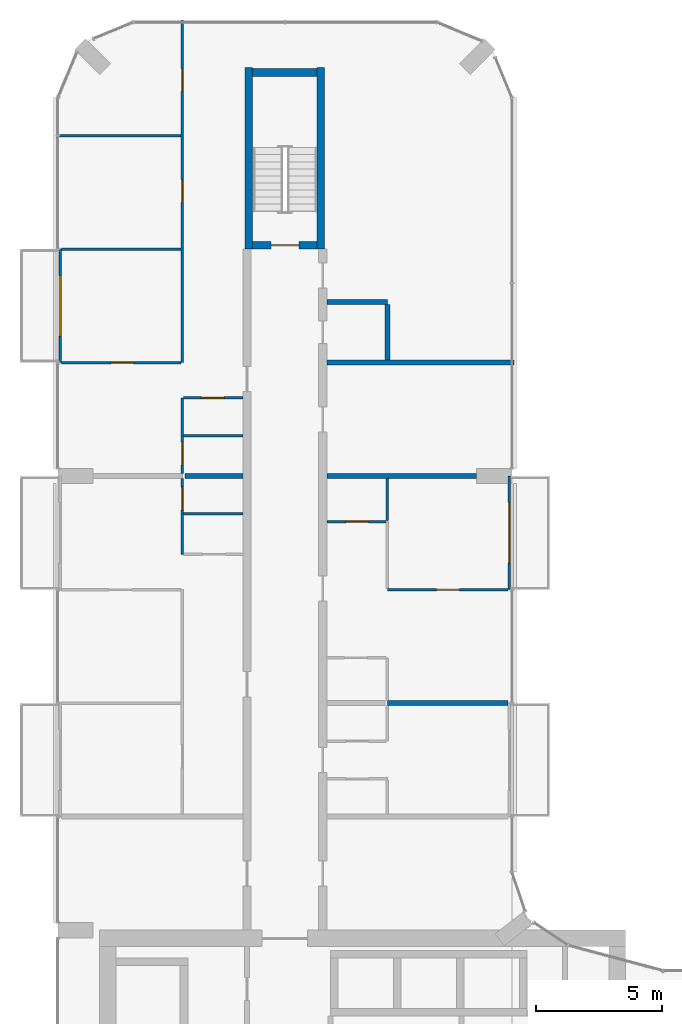
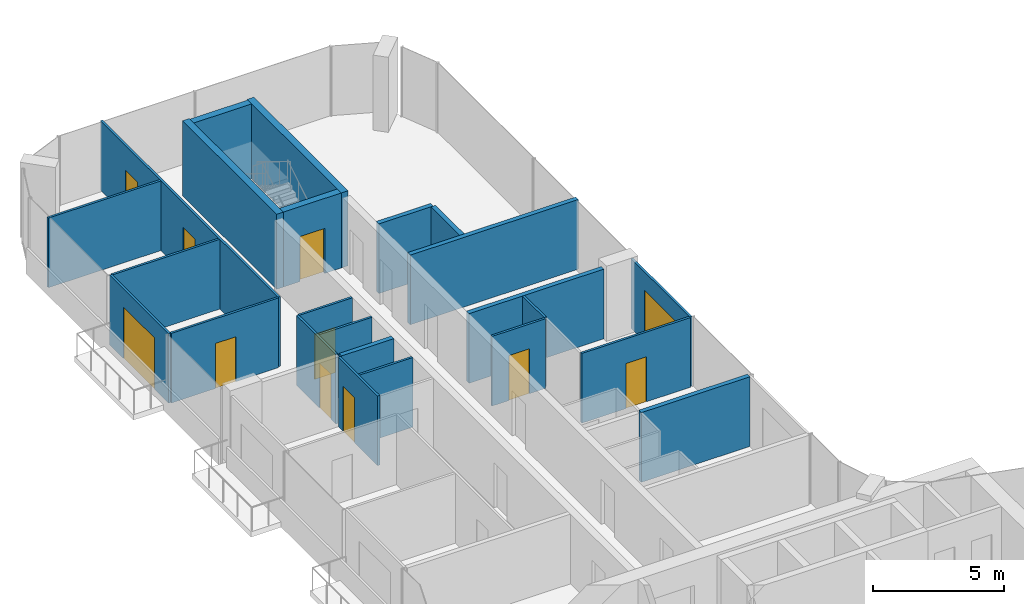
# One storey, part 16 of 22: 24 walls, 11 doors, 11 openings.
"""IFC4 building model written with IfcOpenShell, lengths in metres."""

from ifc_helpers import new_model, si_unit, direction, frame, frame_2d, origin, place, context, subcontext, project, spatial, rectangle, extrude, material, layer, layer_set, type_object, element, fill, save


model = new_model("IFC4")

# Units and contexts
model_context = context("Model", 3, precision=1e-05, world=origin(), true_north=direction((0.0, 1.0)))
body_context = subcontext(model_context, "Body", "Model", "MODEL_VIEW")
ifc_project = project(units=[si_unit("LENGTHUNIT", "METRE"), si_unit("AREAUNIT", "SQUARE_METRE"), si_unit("VOLUMEUNIT", "CUBIC_METRE"), si_unit("PLANEANGLEUNIT", "RADIAN"), si_unit("MASSUNIT", "GRAM", prefix="KILO")], contexts=[model_context])

# Site, building, storey
site_placement = place(None, origin())
site = spatial("IfcSite", under=ifc_project, at=site_placement, CompositionType="ELEMENT")
building_placement = place(site_placement, origin())
building = spatial("IfcBuilding", under=site, at=building_placement, Name="Plateau Cross Towers", CompositionType="ELEMENT")
storey_placement = place(building_placement, frame((0.0, 0.0, 116.800048828125)))
storey = spatial("IfcBuildingStorey", under=building, at=storey_placement, Name="L30", CompositionType="ELEMENT", Elevation=116.800048828125)

# Wall, opening, door
ifc_material_1 = material(Name="Aluminium framed glazing", Category="aluminium")
ifc_layer_1 = layer(ifc_material_1, 0.10009765625)
ifc_layer_set_1 = layer_set([ifc_layer_1], Name="Aluminium framed glazing")
wall_type_1 = type_object("IfcWallType", Name="Balcony screen wall 100", PredefinedType="STANDARD", material=ifc_layer_set_1)
wall_1_placement = place(storey_placement, frame((0.10009765625, 40.5, 0.0), z_axis=(0.0, 0.0, 1.0), x_axis=(0.0, 1.0, 0.0)))
wall_1 = element("IfcWall", 1, at=wall_1_placement, inside=storey, type_object=wall_type_1, Name="Balcony screen wall A-BAL-L30-03", PredefinedType="STANDARD", context=body_context, shape_type="SweptSolid", body=[
    extrude(rectangle(XDim=4.5, YDim=0.10009765625, at=frame_2d((2.25, 0.0))), origin(), (0.0, 0.0, 1.0), 3.25),
])
opening_1_placement = place(wall_1_placement, frame((1.050048828125, 0.0, 0.0)))
opening_1 = element("IfcOpeningElement", 2, at=opening_1_placement, cuts=wall_1, Name="Opening D-B24", PredefinedType="OPENING", context=body_context, shape_type="SweptSolid", body=[
    extrude(rectangle(XDim=2.39990234375, YDim=2.39990234375, at=frame_2d((1.199951171875, 1.199951171875))), frame((0.0, 0.06005859375, 0.0), z_axis=(0.0, -1.0, 0.0), x_axis=(1.0, 0.0, 0.0)), (0.0, 0.0, 1.0), 0.1201171875),
])
ifc_material_2 = material(Name="Aluminium frame, double glazing", Category="aluminium")
door_type_1 = type_object("IfcDoorType", Name="Balcony sliding door 2400", OperationType="NOTDEFINED", PredefinedType="DOOR", material=ifc_material_2)
door_1_placement = place(opening_1_placement, origin())
door_1 = element("IfcDoor", 3, at=door_1_placement, inside=storey, type_object=door_type_1, Name="Balcony door A-BAL-L30-03", OperationType="SINGLE_SWING_LEFT", OverallHeight=2.39990234375, OverallWidth=2.39990234375, PredefinedType="DOOR", context=body_context, shape_type="SweptSolid", body=[
    extrude(rectangle(XDim=2.39990234375, YDim=2.39990234375, at=frame_2d((1.199951171875, 1.199951171875))), frame((0.0, 0.02490234375, 0.0), z_axis=(0.0, -1.0, 0.0), x_axis=(1.0, 0.0, 0.0)), (0.0, 0.0, 1.0), 0.050048828125),
])
fill(opening_1, door_1)

wall_2_placement = place(storey_placement, frame((17.89990234375, 36.0, 0.0), z_axis=(0.0, 0.0, 1.0), x_axis=(0.0, -1.0, 0.0)))
wall_2 = element("IfcWall", 4, at=wall_2_placement, inside=storey, type_object=wall_type_1, Name="Balcony screen wall A-BAL-L30-05", PredefinedType="STANDARD", context=body_context, shape_type="SweptSolid", body=[
    extrude(rectangle(XDim=4.5, YDim=0.10009765625, at=frame_2d((2.25, 0.0))), origin(), (0.0, 0.0, 1.0), 3.25),
])
opening_2_placement = place(wall_2_placement, frame((1.050048828125, 0.0, 0.0)))
opening_2 = element("IfcOpeningElement", 5, at=opening_2_placement, cuts=wall_2, Name="Opening D-B24", PredefinedType="OPENING", context=body_context, shape_type="SweptSolid", body=[
    extrude(rectangle(XDim=2.39990234375, YDim=2.39990234375, at=frame_2d((1.199951171875, 1.199951171875))), frame((0.0, 0.06005859375, 0.0), z_axis=(0.0, -1.0, 0.0), x_axis=(1.0, 0.0, 0.0)), (0.0, 0.0, 1.0), 0.1201171875),
])
door_2_placement = place(opening_2_placement, origin())
door_2 = element("IfcDoor", 6, at=door_2_placement, inside=storey, type_object=door_type_1, Name="Balcony door A-BAL-L30-05", OperationType="SINGLE_SWING_LEFT", OverallHeight=2.39990234375, OverallWidth=2.39990234375, PredefinedType="DOOR", context=body_context, shape_type="SweptSolid", body=[
    extrude(rectangle(XDim=2.39990234375, YDim=2.39990234375, at=frame_2d((1.199951171875, 1.199951171875))), frame((0.0, 0.02490234375, 0.0), z_axis=(0.0, -1.0, 0.0), x_axis=(1.0, 0.0, 0.0)), (0.0, 0.0, 1.0), 0.050048828125),
])
fill(opening_2, door_2)

ifc_material_3 = material(Name="Gypsum board on steel studs", Category="steel")
ifc_layer_2 = layer(ifc_material_3, 0.10009765625)
ifc_layer_set_2 = layer_set([ifc_layer_2], Name="Gypsum board on steel studs")
wall_type_2 = type_object("IfcWallType", Name="Flat partition 100", PredefinedType="PARTITIONING", material=ifc_layer_set_2)
wall_3_placement = place(storey_placement, frame((13.0625, 31.5, 0.0), z_axis=(0.0, 0.0, 1.0), x_axis=(1.0, 0.0, 0.0)))
wall_3 = element("IfcWall", 7, at=wall_3_placement, inside=storey, type_object=wall_type_2, Name="Partition wall", PredefinedType="PARTITIONING", context=body_context, shape_type="SweptSolid", body=[
    extrude(rectangle(XDim=4.78759765625, YDim=0.10009765625, at=frame_2d((2.393798828125, 0.0))), origin(), (0.0, 0.0, 1.0), 3.25),
])
opening_3_placement = place(wall_3_placement, frame((1.949951171875, 0.0, 0.0)))
opening_3 = element("IfcOpeningElement", 8, at=opening_3_placement, cuts=wall_3, Name="Opening 30-43", PredefinedType="OPENING", context=body_context, shape_type="SweptSolid", body=[
    extrude(rectangle(XDim=0.89990234375, YDim=2.10009765625, at=frame_2d((0.449951171875, 1.050048828125))), frame((0.0, 0.06005859375, 0.0), z_axis=(0.0, -1.0, 0.0), x_axis=(1.0, 0.0, 0.0)), (0.0, 0.0, 1.0), 0.1201171875),
])
ifc_material_4 = material(Name="Timber leaf", Category="wood")
door_type_2 = type_object("IfcDoorType", Name="Flat room door 900", OperationType="NOTDEFINED", PredefinedType="DOOR", material=ifc_material_4)
door_3_placement = place(opening_3_placement, origin())
door_3 = element("IfcDoor", 9, at=door_3_placement, inside=storey, type_object=door_type_2, Name="Door 30-43", OperationType="SINGLE_SWING_RIGHT", OverallHeight=2.10009765625, OverallWidth=0.89990234375, PredefinedType="DOOR", context=body_context, shape_type="SweptSolid", body=[
    extrude(rectangle(XDim=0.89990234375, YDim=2.10009765625, at=frame_2d((0.449951171875, 1.050048828125))), frame((0.0, 0.02490234375, 0.0), z_axis=(0.0, -1.0, 0.0), x_axis=(1.0, 0.0, 0.0)), (0.0, 0.0, 1.0), 0.050048828125),
])
fill(opening_3, door_3)

wall_4_placement = place(storey_placement, frame((10.66259765625, 34.199951171875, 0.0), z_axis=(0.0, 0.0, 1.0), x_axis=(1.0, 0.0, 0.0)))
wall_4 = element("IfcWall", 10, at=wall_4_placement, inside=storey, type_object=wall_type_2, Name="Partition wall", PredefinedType="PARTITIONING", context=body_context, shape_type="SweptSolid", body=[
    extrude(rectangle(XDim=2.349853515625, YDim=0.10009765625, at=frame_2d((1.1748046875, 0.0))), origin(), (0.0, 0.0, 1.0), 3.25),
])
opening_4_placement = place(wall_4_placement, frame((0.75, 0.0, 0.0)))
opening_4 = element("IfcOpeningElement", 11, at=opening_4_placement, cuts=wall_4, Name="Opening 30-42", PredefinedType="OPENING", context=body_context, shape_type="SweptSolid", body=[
    extrude(rectangle(XDim=0.89990234375, YDim=2.10009765625, at=frame_2d((0.449951171875, 1.050048828125))), frame((0.0, 0.06005859375, 0.0), z_axis=(0.0, -1.0, 0.0), x_axis=(1.0, 0.0, 0.0)), (0.0, 0.0, 1.0), 0.1201171875),
])
door_4_placement = place(opening_4_placement, origin())
door_4 = element("IfcDoor", 12, at=door_4_placement, inside=storey, type_object=door_type_2, Name="Door 30-42", OperationType="SINGLE_SWING_RIGHT", OverallHeight=2.10009765625, OverallWidth=0.89990234375, PredefinedType="DOOR", context=body_context, shape_type="SweptSolid", body=[
    extrude(rectangle(XDim=0.89990234375, YDim=2.10009765625, at=frame_2d((0.449951171875, 1.050048828125))), frame((0.0, 0.02490234375, 0.0), z_axis=(0.0, -1.0, 0.0), x_axis=(1.0, 0.0, 0.0)), (0.0, 0.0, 1.0), 0.050048828125),
])
fill(opening_4, door_4)

# Walls
for number, where, z_axis, x_axis, name in (
    (13, (7.33740234375, 34.5, 0.0), (0.0, 0.0, 1.0), (-1.0, 0.0, 0.0), "Partition wall"),
    (14, (7.33740234375, 37.60009765625, 0.0), (0.0, 0.0, 1.0), (-1.0, 0.0, 0.0), "Partition wall"),
):
    element("IfcWall", number, at=place(storey_placement, frame(where, z_axis=z_axis, x_axis=x_axis)), inside=storey, type_object=wall_type_2, Name=name, PredefinedType="PARTITIONING", context=body_context, shape_type="SweptSolid", body=[
        extrude(rectangle(XDim=2.349853515625, YDim=0.10009765625, at=frame_2d((1.1748046875, 0.0))), origin(), (0.0, 0.0, 1.0), 3.25),
    ])

# Wall, opening, door
wall_5_placement = place(storey_placement, frame((7.33740234375, 39.10009765625, 0.0), z_axis=(0.0, 0.0, 1.0), x_axis=(-1.0, 0.0, 0.0)))
wall_5 = element("IfcWall", 15, at=wall_5_placement, inside=storey, type_object=wall_type_2, Name="Partition wall", PredefinedType="PARTITIONING", context=body_context, shape_type="SweptSolid", body=[
    extrude(rectangle(XDim=2.349853515625, YDim=0.10009765625, at=frame_2d((1.1748046875, 0.0))), origin(), (0.0, 0.0, 1.0), 3.25),
])
opening_5_placement = place(wall_5_placement, frame((0.75, 0.0, 0.0)))
opening_5 = element("IfcOpeningElement", 16, at=opening_5_placement, cuts=wall_5, Name="Opening 30-35", PredefinedType="OPENING", context=body_context, shape_type="SweptSolid", body=[
    extrude(rectangle(XDim=0.89990234375, YDim=2.10009765625, at=frame_2d((0.449951171875, 1.050048828125))), frame((0.0, 0.06005859375, 0.0), z_axis=(0.0, -1.0, 0.0), x_axis=(1.0, 0.0, 0.0)), (0.0, 0.0, 1.0), 0.1201171875),
])
door_5_placement = place(opening_5_placement, origin())
door_5 = element("IfcDoor", 17, at=door_5_placement, inside=storey, type_object=door_type_2, Name="Door 30-35", OperationType="SINGLE_SWING_RIGHT", OverallHeight=2.10009765625, OverallWidth=0.89990234375, PredefinedType="DOOR", context=body_context, shape_type="SweptSolid", body=[
    extrude(rectangle(XDim=0.89990234375, YDim=2.10009765625, at=frame_2d((0.449951171875, 1.050048828125))), frame((0.0, 0.02490234375, 0.0), z_axis=(0.0, -1.0, 0.0), x_axis=(1.0, 0.0, 0.0)), (0.0, 0.0, 1.0), 0.050048828125),
])
fill(opening_5, door_5)

wall_6_placement = place(storey_placement, frame((0.14990234375, 40.5, 0.0), z_axis=(0.0, 0.0, 1.0), x_axis=(1.0, 0.0, 0.0)))
wall_6 = element("IfcWall", 18, at=wall_6_placement, inside=storey, type_object=wall_type_2, Name="Partition wall", PredefinedType="PARTITIONING", context=body_context, shape_type="SweptSolid", body=[
    extrude(rectangle(XDim=4.737548828125, YDim=0.10009765625, at=frame_2d((2.36865234375, 0.0))), origin(), (0.0, 0.0, 1.0), 3.25),
])
opening_6_placement = place(wall_6_placement, frame((1.949951171875, 0.0, 0.0)))
opening_6 = element("IfcOpeningElement", 19, at=opening_6_placement, cuts=wall_6, Name="Opening 30-36", PredefinedType="OPENING", context=body_context, shape_type="SweptSolid", body=[
    extrude(rectangle(XDim=0.89990234375, YDim=2.10009765625, at=frame_2d((0.449951171875, 1.050048828125))), frame((0.0, 0.06005859375, 0.0), z_axis=(0.0, -1.0, 0.0), x_axis=(1.0, 0.0, 0.0)), (0.0, 0.0, 1.0), 0.1201171875),
])
door_6_placement = place(opening_6_placement, origin())
door_6 = element("IfcDoor", 20, at=door_6_placement, inside=storey, type_object=door_type_2, Name="Door 30-36", OperationType="SINGLE_SWING_RIGHT", OverallHeight=2.10009765625, OverallWidth=0.89990234375, PredefinedType="DOOR", context=body_context, shape_type="SweptSolid", body=[
    extrude(rectangle(XDim=0.89990234375, YDim=2.10009765625, at=frame_2d((0.449951171875, 1.050048828125))), frame((0.0, 0.02490234375, 0.0), z_axis=(0.0, -1.0, 0.0), x_axis=(1.0, 0.0, 0.0)), (0.0, 0.0, 1.0), 0.050048828125),
])
fill(opening_6, door_6)

# Walls
wall_7_placement = place(storey_placement, frame((4.887451171875, 45.0, 0.0), z_axis=(0.0, 0.0, 1.0), x_axis=(-1.0, 0.0, 0.0)))
element("IfcWall", 21, at=wall_7_placement, inside=storey, type_object=wall_type_2, Name="Partition wall", PredefinedType="PARTITIONING", context=body_context, shape_type="SweptSolid", body=[
    extrude(rectangle(XDim=4.737548828125, YDim=0.10009765625, at=frame_2d((2.36865234375, 0.0))), origin(), (0.0, 0.0, 1.0), 3.25),
])
wall_8_placement = place(storey_placement, frame((4.887451171875, 49.5, 0.0), z_axis=(0.0, 0.0, 1.0), x_axis=(-1.0, 0.0, 0.0)))
element("IfcWall", 22, at=wall_8_placement, inside=storey, type_object=wall_type_2, Name="Partition wall", PredefinedType="PARTITIONING", context=body_context, shape_type="SweptSolid", body=[
    extrude(rectangle(XDim=4.967529296875, YDim=0.10009765625, at=frame_2d((2.48388671875, 0.0))), origin(), (0.0, 0.0, 1.0), 3.25),
])

# Wall, opening, door
wall_9_placement = place(storey_placement, frame((4.9375, 35.89990234375, 0.0), z_axis=(0.0, 0.0, 1.0), x_axis=(0.0, -1.0, 0.0)))
wall_9 = element("IfcWall", 23, at=wall_9_placement, inside=storey, type_object=wall_type_2, Name="Partition wall", PredefinedType="PARTITIONING", context=body_context, shape_type="SweptSolid", body=[
    extrude(rectangle(XDim=3.0, YDim=0.10009765625, at=frame_2d((1.5, 0.0))), origin(), (0.0, 0.0, 1.0), 3.25),
])
opening_7_placement = place(wall_9_placement, frame((0.35009765625, 0.0, 0.0)))
opening_7 = element("IfcOpeningElement", 24, at=opening_7_placement, cuts=wall_9, Name="Opening 30-31", PredefinedType="OPENING", context=body_context, shape_type="SweptSolid", body=[
    extrude(rectangle(XDim=0.89990234375, YDim=2.10009765625, at=frame_2d((0.449951171875, 1.050048828125))), frame((0.0, 0.06005859375, 0.0), z_axis=(0.0, -1.0, 0.0), x_axis=(1.0, 0.0, 0.0)), (0.0, 0.0, 1.0), 0.1201171875),
])
door_7_placement = place(opening_7_placement, origin())
door_7 = element("IfcDoor", 25, at=door_7_placement, inside=storey, type_object=door_type_2, Name="Door 30-31", OperationType="SINGLE_SWING_LEFT", OverallHeight=2.10009765625, OverallWidth=0.89990234375, PredefinedType="DOOR", context=body_context, shape_type="SweptSolid", body=[
    extrude(rectangle(XDim=0.89990234375, YDim=2.10009765625, at=frame_2d((0.449951171875, 1.050048828125))), frame((0.0, 0.02490234375, 0.0), z_axis=(0.0, -1.0, 0.0), x_axis=(1.0, 0.0, 0.0)), (0.0, 0.0, 1.0), 0.050048828125),
])
fill(opening_7, door_7)

wall_10_placement = place(storey_placement, frame((4.9375, 39.10009765625, 0.0), z_axis=(0.0, 0.0, 1.0), x_axis=(0.0, -1.0, 0.0)))
wall_10 = element("IfcWall", 26, at=wall_10_placement, inside=storey, type_object=wall_type_2, Name="Partition wall", PredefinedType="PARTITIONING", context=body_context, shape_type="SweptSolid", body=[
    extrude(rectangle(XDim=3.0, YDim=0.10009765625, at=frame_2d((1.5, 0.0))), origin(), (0.0, 0.0, 1.0), 3.25),
])
opening_8_placement = place(wall_10_placement, frame((1.75, 0.0, 0.0)))
opening_8 = element("IfcOpeningElement", 27, at=opening_8_placement, cuts=wall_10, Name="Opening 30-34", PredefinedType="OPENING", context=body_context, shape_type="SweptSolid", body=[
    extrude(rectangle(XDim=0.89990234375, YDim=2.10009765625, at=frame_2d((0.449951171875, 1.050048828125))), frame((0.0, 0.06005859375, 0.0), z_axis=(0.0, -1.0, 0.0), x_axis=(1.0, 0.0, 0.0)), (0.0, 0.0, 1.0), 0.1201171875),
])
door_8_placement = place(opening_8_placement, origin())
door_8 = element("IfcDoor", 28, at=door_8_placement, inside=storey, type_object=door_type_2, Name="Door 30-34", OperationType="SINGLE_SWING_RIGHT", OverallHeight=2.10009765625, OverallWidth=0.89990234375, PredefinedType="DOOR", context=body_context, shape_type="SweptSolid", body=[
    extrude(rectangle(XDim=0.89990234375, YDim=2.10009765625, at=frame_2d((0.449951171875, 1.050048828125))), frame((0.0, 0.02490234375, 0.0), z_axis=(0.0, -1.0, 0.0), x_axis=(1.0, 0.0, 0.0)), (0.0, 0.0, 1.0), 0.050048828125),
])
fill(opening_8, door_8)

# Wall, openings, doors
wall_11_placement = place(storey_placement, frame((4.9375, 40.5, 0.0), z_axis=(0.0, 0.0, 1.0), x_axis=(0.0, 1.0, 0.0)))
wall_11 = element("IfcWall", 29, at=wall_11_placement, inside=storey, type_object=wall_type_2, Name="Partition wall", PredefinedType="PARTITIONING", context=body_context, shape_type="SweptSolid", body=[
    extrude(rectangle(XDim=13.580078125, YDim=0.10009765625, at=frame_2d((6.7900390625, 0.0))), origin(), (0.0, 0.0, 1.0), 3.25),
])
opening_9_placement = place(wall_11_placement, frame((6.35009765625, 0.0, 0.0)))
opening_9 = element("IfcOpeningElement", 30, at=opening_9_placement, cuts=wall_11, Name="Opening 30-37", PredefinedType="OPENING", context=body_context, shape_type="SweptSolid", body=[
    extrude(rectangle(XDim=0.89990234375, YDim=2.10009765625, at=frame_2d((0.449951171875, 1.050048828125))), frame((0.0, 0.06005859375, 0.0), z_axis=(0.0, -1.0, 0.0), x_axis=(1.0, 0.0, 0.0)), (0.0, 0.0, 1.0), 0.1201171875),
])
opening_10_placement = place(wall_11_placement, frame((10.75, 0.0, 0.0)))
opening_10 = element("IfcOpeningElement", 31, at=opening_10_placement, cuts=wall_11, Name="Opening 30-38", PredefinedType="OPENING", context=body_context, shape_type="SweptSolid", body=[
    extrude(rectangle(XDim=0.89990234375, YDim=2.10009765625, at=frame_2d((0.449951171875, 1.050048828125))), frame((0.0, 0.06005859375, 0.0), z_axis=(0.0, -1.0, 0.0), x_axis=(1.0, 0.0, 0.0)), (0.0, 0.0, 1.0), 0.1201171875),
])
door_9_placement = place(opening_9_placement, origin())
door_9 = element("IfcDoor", 32, at=door_9_placement, inside=storey, type_object=door_type_2, Name="Door 30-37", OperationType="SINGLE_SWING_RIGHT", OverallHeight=2.10009765625, OverallWidth=0.89990234375, PredefinedType="DOOR", context=body_context, shape_type="SweptSolid", body=[
    extrude(rectangle(XDim=0.89990234375, YDim=2.10009765625, at=frame_2d((0.449951171875, 1.050048828125))), frame((0.0, 0.02490234375, 0.0), z_axis=(0.0, -1.0, 0.0), x_axis=(1.0, 0.0, 0.0)), (0.0, 0.0, 1.0), 0.050048828125),
])
fill(opening_9, door_9)
door_10_placement = place(opening_10_placement, origin())
door_10 = element("IfcDoor", 33, at=door_10_placement, inside=storey, type_object=door_type_2, Name="Door 30-38", OperationType="SINGLE_SWING_RIGHT", OverallHeight=2.10009765625, OverallWidth=0.89990234375, PredefinedType="DOOR", context=body_context, shape_type="SweptSolid", body=[
    extrude(rectangle(XDim=0.89990234375, YDim=2.10009765625, at=frame_2d((0.449951171875, 1.050048828125))), frame((0.0, 0.02490234375, 0.0), z_axis=(0.0, -1.0, 0.0), x_axis=(1.0, 0.0, 0.0)), (0.0, 0.0, 1.0), 0.050048828125),
])
fill(opening_10, door_10)

# Walls
wall_12_placement = place(storey_placement, frame((13.0625, 34.25, 0.0), z_axis=(0.0, 0.0, 1.0), x_axis=(0.0, 1.0, 0.0)))
element("IfcWall", 34, at=wall_12_placement, inside=storey, type_object=wall_type_2, Name="Partition wall", PredefinedType="PARTITIONING", context=body_context, shape_type="SweptSolid", body=[
    extrude(rectangle(XDim=1.64990234375, YDim=0.10009765625, at=frame_2d((0.824951171875, 0.0))), origin(), (0.0, 0.0, 1.0), 3.25),
])
ifc_material_5 = material(Name="Gypsum board on steel studs, two layers each side", Category="steel")
ifc_layer_3 = layer(ifc_material_5, 0.199951171875)
ifc_layer_set_3 = layer_set([ifc_layer_3], Name="Gypsum board on steel studs, two layers each side")
wall_type_3 = type_object("IfcWallType", Name="Flat party wall 200", PredefinedType="PARTITIONING", material=ifc_layer_set_3)
wall_13_placement = place(storey_placement, frame((13.0625, 27.0, 0.0), z_axis=(0.0, 0.0, 1.0), x_axis=(1.0, 0.0, 0.0)))
element("IfcWall", 35, at=wall_13_placement, inside=storey, type_object=wall_type_3, Name="Party wall", PredefinedType="PARTITIONING", context=body_context, shape_type="SweptSolid", body=[
    extrude(rectangle(XDim=4.78759765625, YDim=0.199951171875, at=frame_2d((2.393798828125, 0.0))), origin(), (0.0, 0.0, 1.0), 3.25),
])
wall_14_placement = place(storey_placement, frame((7.33740234375, 36.0, 0.0), z_axis=(0.0, 0.0, 1.0), x_axis=(-1.0, 0.0, 0.0)))
element("IfcWall", 36, at=wall_14_placement, inside=storey, type_object=wall_type_3, Name="Party wall", PredefinedType="PARTITIONING", context=body_context, shape_type="SweptSolid", body=[
    extrude(rectangle(XDim=2.2998046875, YDim=0.199951171875, at=frame_2d((1.14990234375, 0.0))), origin(), (0.0, 0.0, 1.0), 3.25),
])
wall_15_placement = place(storey_placement, frame((16.60009765625, 36.0, 0.0), z_axis=(0.0, 0.0, 1.0), x_axis=(-1.0, 0.0, 0.0)))
element("IfcWall", 37, at=wall_15_placement, inside=storey, type_object=wall_type_3, Name="Party wall", PredefinedType="PARTITIONING", context=body_context, shape_type="SweptSolid", body=[
    extrude(rectangle(XDim=5.9375, YDim=0.199951171875, at=frame_2d((2.96875, 0.0))), origin(), (0.0, 0.0, 1.0), 3.25),
])
wall_16_placement = place(storey_placement, frame((18.080078125, 40.5, 0.0), z_axis=(0.0, 0.0, 1.0), x_axis=(-1.0, 0.0, 0.0)))
element("IfcWall", 38, at=wall_16_placement, inside=storey, type_object=wall_type_3, Name="Party wall", PredefinedType="PARTITIONING", context=body_context, shape_type="SweptSolid", body=[
    extrude(rectangle(XDim=7.41748046875, YDim=0.199951171875, at=frame_2d((3.708740234375, 0.0))), origin(), (0.0, 0.0, 1.0), 3.25),
])
wall_17_placement = place(storey_placement, frame((13.0625, 42.89990234375, 0.0), z_axis=(0.0, 0.0, 1.0), x_axis=(-1.0, 0.0, 0.0)))
element("IfcWall", 39, at=wall_17_placement, inside=storey, type_object=wall_type_3, Name="Party wall", PredefinedType="PARTITIONING", context=body_context, shape_type="SweptSolid", body=[
    extrude(rectangle(XDim=2.39990234375, YDim=0.199951171875, at=frame_2d((1.199951171875, 0.0))), origin(), (0.0, 0.0, 1.0), 3.25),
])
wall_18_placement = place(storey_placement, frame((13.0625, 40.60009765625, 0.0), z_axis=(0.0, 0.0, 1.0), x_axis=(0.0, 1.0, 0.0)))
element("IfcWall", 40, at=wall_18_placement, inside=storey, type_object=wall_type_3, Name="Party wall", PredefinedType="PARTITIONING", context=body_context, shape_type="SweptSolid", body=[
    extrude(rectangle(XDim=2.199951171875, YDim=0.199951171875, at=frame_2d((1.10009765625, 0.0))), origin(), (0.0, 0.0, 1.0), 3.25),
])

# Wall, opening, door
ifc_material_6 = material(Name="Concrete C60/75", Category="concrete")
ifc_layer_4 = layer(ifc_material_6, 0.300048828125)
ifc_layer_set_4 = layer_set([ifc_layer_4], Name="Concrete C60/75")
wall_type_4 = type_object("IfcWallType", Name="Stair tower wall 300", PredefinedType="SHEAR", material=ifc_layer_set_4)
wall_19_placement = place(storey_placement, frame((7.72509765625, 45.14990234375, 0.0), z_axis=(0.0, 0.0, 1.0), x_axis=(1.0, 0.0, 0.0)))
wall_19 = element("IfcWall", 41, at=wall_19_placement, inside=storey, type_object=wall_type_4, Name="A-end-N-S@L30", PredefinedType="SHEAR", context=body_context, shape_type="SweptSolid", body=[
    extrude(rectangle(XDim=2.5498046875, YDim=0.300048828125, at=frame_2d((1.27490234375, 0.0))), origin(), (0.0, 0.0, 1.0), 3.5),
])
opening_11_placement = place(wall_19_placement, frame((0.72509765625, 0.0, 0.0)))
opening_11 = element("IfcOpeningElement", 42, at=opening_11_placement, cuts=wall_19, Name="Opening SD", PredefinedType="OPENING", context=body_context, shape_type="SweptSolid", body=[
    extrude(rectangle(XDim=1.10009765625, YDim=2.10009765625, at=frame_2d((0.550048828125, 1.050048828125))), frame((0.0, 0.159912109375, 0.0), z_axis=(0.0, -1.0, 0.0), x_axis=(1.0, 0.0, 0.0)), (0.0, 0.0, 1.0), 0.320068359375),
])
ifc_material_7 = material(Name="Steel, fire-resisting leaf", Category="steel")
door_type_3 = type_object("IfcDoorType", Name="Stair door 1100", OperationType="NOTDEFINED", PredefinedType="DOOR", material=ifc_material_7)
door_11_placement = place(opening_11_placement, origin())
door_11 = element("IfcDoor", 43, at=door_11_placement, inside=storey, type_object=door_type_3, Name="Stair door SD", OperationType="SINGLE_SWING_LEFT", OverallHeight=2.10009765625, OverallWidth=1.10009765625, PredefinedType="DOOR", context=body_context, shape_type="SweptSolid", body=[
    extrude(rectangle(XDim=1.10009765625, YDim=2.10009765625, at=frame_2d((0.550048828125, 1.050048828125))), frame((0.0, 0.02490234375, 0.0), z_axis=(0.0, -1.0, 0.0), x_axis=(1.0, 0.0, 0.0)), (0.0, 0.0, 1.0), 0.050048828125),
])
fill(opening_11, door_11)

# Walls
wall_20_placement = place(storey_placement, frame((7.72509765625, 52.0, 0.0), z_axis=(0.0, 0.0, 1.0), x_axis=(1.0, 0.0, 0.0)))
element("IfcWall", 44, at=wall_20_placement, inside=storey, type_object=wall_type_4, Name="A-end-N-N@L30", PredefinedType="SHEAR", context=body_context, shape_type="SweptSolid", body=[
    extrude(rectangle(XDim=2.5498046875, YDim=0.300048828125, at=frame_2d((1.27490234375, 0.0))), origin(), (0.0, 0.0, 1.0), 3.5),
])
for number, where, z_axis, x_axis, name in (
    (45, (7.574951171875, 45.0, 0.0), (0.0, 0.0, 1.0), (0.0, 1.0, 0.0), "A-end-N-W@L30"),
    (46, (10.425048828125, 45.0, 0.0), (0.0, 0.0, 1.0), (0.0, 1.0, 0.0), "A-end-N-E@L30"),
):
    element("IfcWall", number, at=place(storey_placement, frame(where, z_axis=z_axis, x_axis=x_axis)), inside=storey, type_object=wall_type_4, Name=name, PredefinedType="SHEAR", context=body_context, shape_type="SweptSolid", body=[
        extrude(rectangle(XDim=7.199951171875, YDim=0.300048828125, at=frame_2d((3.60009765625, 0.0))), origin(), (0.0, 0.0, 1.0), 3.5),
    ])

save(model, "model.ifc")
